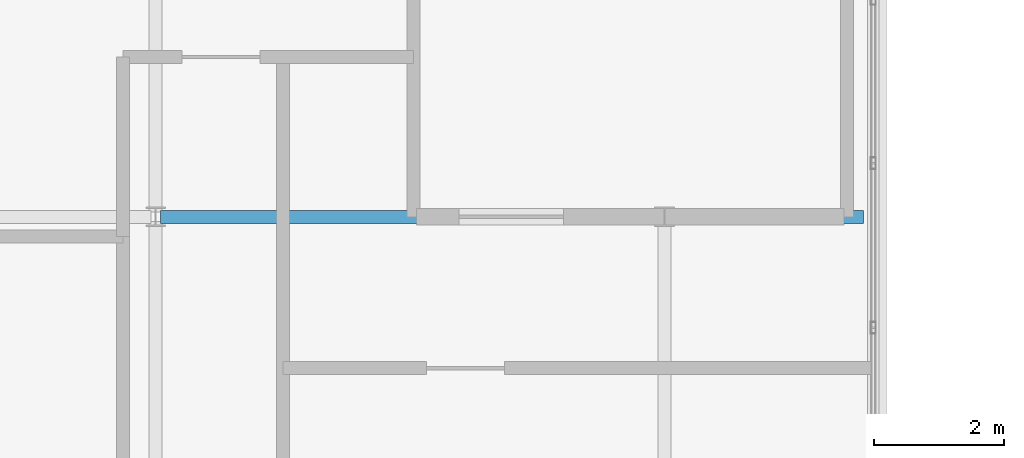
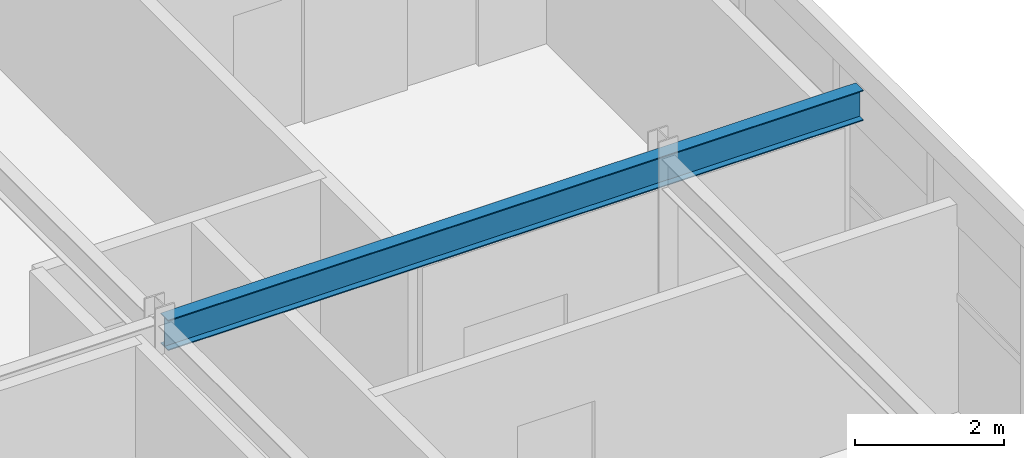
# One storey, part 8 of 25: 1 beam.
"""IFC4 building model written with IfcOpenShell, lengths in metres."""

from ifc_helpers import new_model, si_unit, direction, frame, origin, origin_2d, place, context, subcontext, project, spatial, i_section, extrude, source, transform, mapped, material, material_profile, profile_set, type_object, element, save


model = new_model("IFC4")

# Units and contexts
model_context = context("Model", 3, precision=1e-05, world=origin(), true_north=direction((0.0, 1.0)))
body_context = subcontext(model_context, "Body", "Model", "MODEL_VIEW")
ifc_project = project(units=[si_unit("LENGTHUNIT", "METRE"), si_unit("AREAUNIT", "SQUARE_METRE"), si_unit("VOLUMEUNIT", "CUBIC_METRE"), si_unit("PLANEANGLEUNIT", "RADIAN"), si_unit("MASSUNIT", "GRAM", prefix="KILO")], contexts=[model_context])

# Site, building, storey
site_placement = place(None, origin())
site = spatial("IfcSite", under=ifc_project, at=site_placement, CompositionType="ELEMENT")
building_placement = place(site_placement, origin())
building = spatial("IfcBuilding", under=site, at=building_placement, Name="Trelvane Seafront Commons", CompositionType="ELEMENT")
storey_placement = place(building_placement, frame((0.0, 0.0, 316.699951171875)))
storey = spatial("IfcBuildingStorey", under=building, at=storey_placement, Name="L82", CompositionType="ELEMENT", Elevation=316.699951171875)

# Beam
ifc_material = material(Name="Steel SM355 (S355)", Category="steel")
ifc_material_profile = material_profile(ifc_material, i_section(OverallWidth=0.199951171875, OverallDepth=0.5, WebThickness=0.010009765625, FlangeThickness=0.01611328125, at=origin_2d()), Name="H-500x200x10x16")
ifc_profile_set = profile_set([ifc_material_profile], Name="Steel SM355 (S355)")
beam_type = type_object("IfcBeamType", Name="STR-CROWN-FRAME-RING", PredefinedType="SPANDREL", material=ifc_profile_set)
shared_shape = source(origin(), body_context, "Body", "SweptSolid", [
    extrude(i_section(OverallWidth=0.199951171875, OverallDepth=0.5, WebThickness=0.010009765625, FlangeThickness=0.01611328125, at=origin_2d()), origin(), (0.0, 0.0, 1.0), 10.77490234375),
])
beam_placement = place(storey_placement, frame((15.675048828125, 33.39990234375, 3.66015625), z_axis=(1.0, 0.0, 0.0), x_axis=(0.0, 1.0, 0.0)))
element("IfcBeam", 1, at=beam_placement, inside=storey, type_object=beam_type, Name="L82 CROWN FRAME Ring Beam G-06", PredefinedType="SPANDREL", context=body_context, shape_type="MappedRepresentation", body=[
    mapped(shared_shape, transform((0.0, 0.0, 0.0), x_axis=(1.0, 0.0, 0.0), y_axis=(0.0, 1.0, 0.0), z_axis=(0.0, 0.0, 1.0), scale=1.0)),
])

save(model, "model.ifc")
